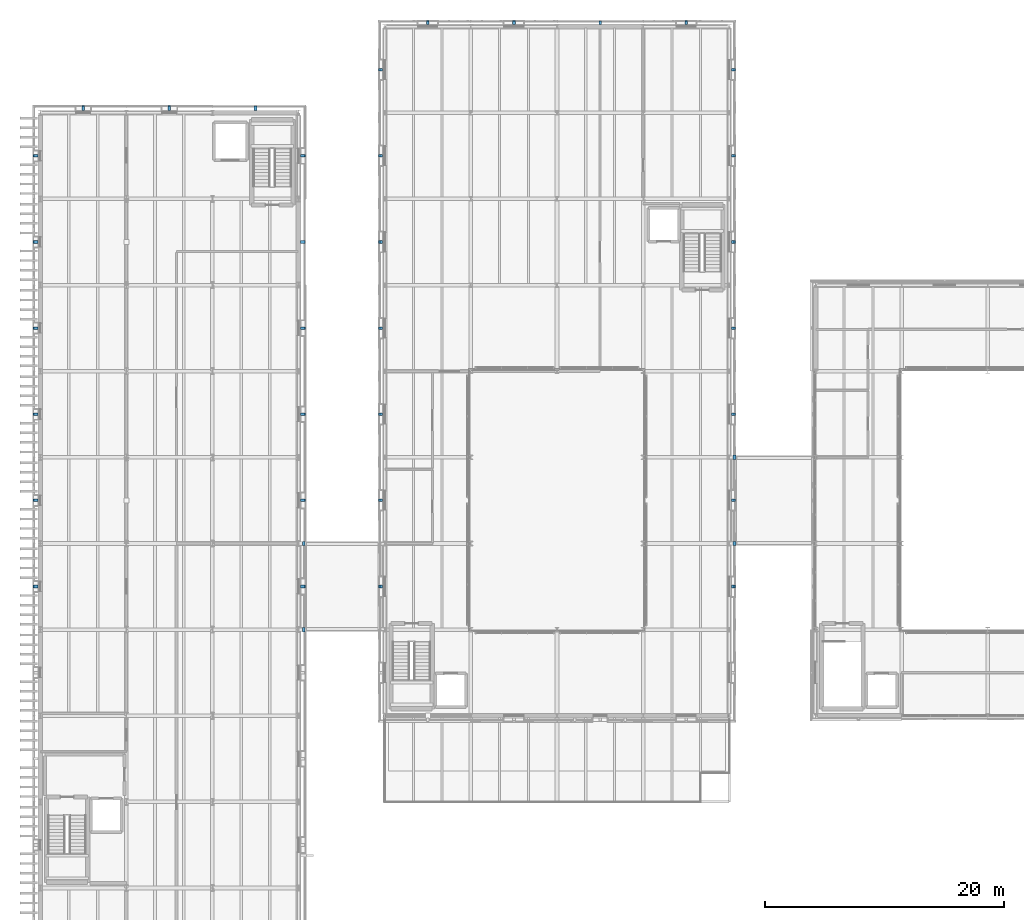
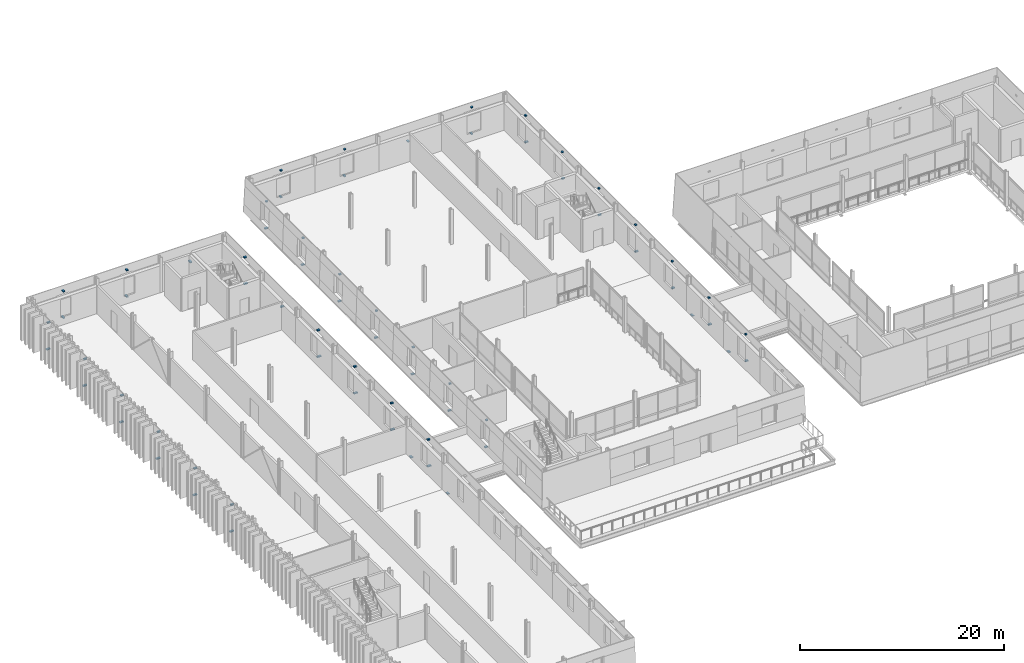
# One storey, part 71 of 91: 67 discrete accessories.
"""IFC4 building model written with IfcOpenShell, lengths in metres."""

import ifcopenshell
import ifcopenshell.guid

model = None  # the IFC model being written
_history = None  # IfcOwnerHistory: only IFC2X3 demands one
_inside = {}  # id of a spatial element -> (the spatial element, [elements in it])
_under = {}  # id of a project, library or spatial element -> (it, [spatial elements below it])
_declared = {}  # id of a project -> (the project, [libraries it declares])
_typed = {}  # id of a type object -> (the type object, [elements of that type])
_made_of = {}  # id of a material, layer set ... -> (it, [elements and type objects made of it])


def new_model(schema):
    """Start an empty IFC model of exactly this schema.

    Asked for "IFC4X3", IfcOpenShell would pick the latest addendum, in which some entities
    have other attributes; the version numbers below select the first issue.
    IFC2X3 requires an IfcOwnerHistory on every rooted entity: one is made here for all.
    """
    global model, _history
    if schema == "IFC4X3":
        model = ifcopenshell.file(schema_version=(4, 3, 0, 0))
    else:
        model = ifcopenshell.file(schema=schema)
    _inside.clear()
    _under.clear()
    _declared.clear()
    _typed.clear()
    _made_of.clear()
    _history = None
    if model.schema == "IFC2X3":
        org = make("IfcOrganization", Name="unknown")
        user = make(
            "IfcPersonAndOrganization",
            ThePerson=make("IfcPerson", FamilyName="unknown"),
            TheOrganization=org,
        )
        app = make(
            "IfcApplication",
            ApplicationDeveloper=org,
            Version="unknown",
            ApplicationFullName="unknown",
            ApplicationIdentifier="unknown",
        )
        _history = make(
            "IfcOwnerHistory",
            OwningUser=user,
            OwningApplication=app,
            ChangeAction="ADDED",
            CreationDate=0,
        )
    return model


def make(cls, **values):
    """One entity of the class cls with the attributes given. An attribute that is None is left unset."""
    return model.create_entity(
        cls, **{name: value for name, value in values.items() if value is not None}
    )


def rooted(cls, **values):
    """An entity with a GlobalId (a new one), such as an element, a storey or a relation."""
    return make(cls, GlobalId=ifcopenshell.guid.new(), OwnerHistory=_history, **values)


def si_unit(unit_type, name, prefix=None):
    """IfcSIUnit, for example si_unit("LENGTHUNIT", "METRE", prefix="MILLI")."""
    return make("IfcSIUnit", UnitType=unit_type, Prefix=prefix, Name=name)


def assignment(units):
    """IfcUnitAssignment: the units of a project."""
    return None if units is None else make("IfcUnitAssignment", Units=units)


def point(xyz):
    """IfcCartesianPoint."""
    return None if xyz is None else make("IfcCartesianPoint", Coordinates=xyz)


def direction(xyz):
    """IfcDirection."""
    return None if xyz is None else make("IfcDirection", DirectionRatios=xyz)


def frame(location, z_axis=None, x_axis=None):
    """IfcAxis2Placement3D, a coordinate frame: its origin and axes. An axis left out is left unset."""
    return make(
        "IfcAxis2Placement3D",
        Location=point(location),
        Axis=direction(z_axis),
        RefDirection=direction(x_axis),
    )


def frame_2d(location, x_axis=None):
    """IfcAxis2Placement2D, a coordinate frame in the plane: its origin and x axis."""
    return make(
        "IfcAxis2Placement2D", Location=point(location), RefDirection=direction(x_axis)
    )


def origin():
    """The frame at (0, 0, 0) with its axes left unset."""
    return frame((0.0, 0.0, 0.0))


def origin_2d():
    """The frame at (0, 0) in the plane with its x axis left unset."""
    return frame_2d((0.0, 0.0))


def place(relative_to, where):
    """IfcLocalPlacement: puts the frame where relative to a parent placement (None: the world)."""
    return make(
        "IfcLocalPlacement", PlacementRelTo=relative_to, RelativePlacement=where
    )


def context(
    kind, dimensions, precision=None, world=None, true_north=None, identifier=None
):
    """IfcGeometricRepresentationContext, for example the 3D "Model" context."""
    return make(
        "IfcGeometricRepresentationContext",
        ContextIdentifier=identifier,
        ContextType=kind,
        CoordinateSpaceDimension=dimensions,
        Precision=precision,
        WorldCoordinateSystem=world,
        TrueNorth=true_north,
    )


def subcontext(parent, identifier, kind, view, scale=None):
    """IfcGeometricRepresentationSubContext, for example "Body" below "Model"."""
    return make(
        "IfcGeometricRepresentationSubContext",
        ContextIdentifier=identifier,
        ContextType=kind,
        ParentContext=parent,
        TargetScale=scale,
        TargetView=view,
    )


def project(units=None, contexts=None):
    """IfcProject with its units and contexts."""
    return rooted(
        "IfcProject",
        Name="project",
        RepresentationContexts=contexts,
        UnitsInContext=assignment(units),
    )


def spatial(cls, under=None, at=None, **own):
    """A site, building, storey or space (cls), placed at a placement, below another one or the project."""
    s = rooted(cls, ObjectPlacement=at, **own)
    if under is not None:
        _under.setdefault(under.id(), (under, []))[1].append(s)
    return s


def profile(cls, at=None, kind="AREA", **sizes):
    """A parametric profile (cls). Its sizes go by their IFC names, for example OverallWidth=200.0."""
    return make(cls, ProfileType=kind, Position=at, **sizes)


def rectangle(**sizes):
    """IfcRectangleProfileDef."""
    return profile("IfcRectangleProfileDef", **sizes)


def extrude(swept, where, along, depth):
    """IfcExtrudedAreaSolid: the profile swept, set in the frame where, extruded along a direction by depth."""
    return make(
        "IfcExtrudedAreaSolid",
        SweptArea=swept,
        Position=where,
        ExtrudedDirection=direction(along),
        Depth=depth,
    )


def shape(context_of_items, identifier, shape_type, items):
    """IfcShapeRepresentation: the items that make up one representation, for example the "Body"."""
    return make(
        "IfcShapeRepresentation",
        ContextOfItems=context_of_items,
        RepresentationIdentifier=identifier,
        RepresentationType=shape_type,
        Items=items,
    )


def material(Name=None, Category=None):
    """IfcMaterial."""
    return make("IfcMaterial", Name=Name, Category=Category)


def layer(
    of_material, thickness, ventilated=None, Name=None, Category=None, Priority=None
):
    """IfcMaterialLayer: one layer of a wall or slab, of a material (None: an air gap)."""
    return make(
        "IfcMaterialLayer",
        Material=of_material,
        LayerThickness=thickness,
        IsVentilated=ventilated,
        Name=Name,
        Category=Category,
        Priority=Priority,
    )


def layer_set(layers, Name=None):
    """IfcMaterialLayerSet."""
    return make("IfcMaterialLayerSet", MaterialLayers=layers, LayerSetName=Name)


def made_of(thing, what):
    """Note that an element or type object is made of a material, layer set ...; save() writes the relation."""
    if what is not None:
        _made_of.setdefault(what.id(), (what, []))[1].append(thing)
    return thing


def type_object(cls, material=None, **own):
    """A type object (cls), such as IfcWallType, which elements share."""
    return made_of(rooted(cls, **own), material)


def element(
    cls,
    number,
    at=None,
    inside=None,
    cuts=None,
    type_object=None,
    material=None,
    context=None,
    identifier="Body",
    shape_type=None,
    held_by="IfcProductDefinitionShape",
    body=None,
    shapes=None,
    **own,
):
    """One element of the class cls, such as IfcWall. Its Tag is "e" and its number.

    at: its placement. inside: the storey or other place that contains it. cuts: it is an
    opening in that element (IfcRelVoidsElement). A single representation is given by context,
    identifier, shape_type and body (its items); several are given by shapes. held_by: the class
    of the entity that holds the representations. save() writes the other relations.
    """
    e = rooted(cls, Tag="e%d" % number, ObjectPlacement=at, **own)
    if body is not None:
        shapes = [shape(context, identifier, shape_type, body)]
    if shapes is not None:
        e.Representation = make(held_by, Representations=shapes)
    if inside is not None:
        _inside.setdefault(inside.id(), (inside, []))[1].append(e)
    if cuts is not None:
        rooted(
            "IfcRelVoidsElement", RelatingBuildingElement=cuts, RelatedOpeningElement=e
        )
    if type_object is not None:
        _typed.setdefault(type_object.id(), (type_object, []))[1].append(e)
    return made_of(e, material)


def aggregate(whole, parts):
    """IfcRelAggregates: a whole, such as a stair, and the parts it consists of."""
    return rooted("IfcRelAggregates", RelatingObject=whole, RelatedObjects=parts)


def save(model, path):
    """Write the relations noted so far, then the file.

    IfcRelAggregates (storeys below a building ...), IfcRelContainedInSpatialStructure (elements
    in a storey), IfcRelDefinesByType, IfcRelAssociatesMaterial and IfcRelDeclares: one each for
    every whole, place, type object, material and project.
    """
    for whole, parts in _under.values():
        aggregate(whole, parts)
    for where, things in _inside.values():
        rooted(
            "IfcRelContainedInSpatialStructure",
            RelatedElements=things,
            RelatingStructure=where,
        )
    for kind, things in _typed.values():
        rooted("IfcRelDefinesByType", RelatedObjects=things, RelatingType=kind)
    for what, things in _made_of.values():
        rooted("IfcRelAssociatesMaterial", RelatedObjects=things, RelatingMaterial=what)
    for by, libraries in _declared.values():
        rooted("IfcRelDeclares", RelatingContext=by, RelatedDefinitions=libraries)
    model.write(path)


model = new_model("IFC4")

# Units and contexts
model_context = context("Model", 3, precision=1e-05, world=origin(), true_north=direction((0.0, 1.0)))
body_context = subcontext(model_context, "Body", "Model", "MODEL_VIEW")
ifc_project = project(units=[si_unit("LENGTHUNIT", "METRE"), si_unit("AREAUNIT", "SQUARE_METRE"), si_unit("VOLUMEUNIT", "CUBIC_METRE"), si_unit("PLANEANGLEUNIT", "RADIAN"), si_unit("MASSUNIT", "GRAM", prefix="KILO")], contexts=[model_context])

# Site, building, storey
site_placement = place(None, origin())
site = spatial("IfcSite", under=ifc_project, at=site_placement, CompositionType="ELEMENT")
building_placement = place(site_placement, origin())
building = spatial("IfcBuilding", under=site, at=building_placement, Name="Narikvali Park Central Library", CompositionType="ELEMENT")
storey_placement = place(building_placement, frame((0.0, 0.0, 14.39990234375)))
storey = spatial("IfcBuildingStorey", under=building, at=storey_placement, Name="L03", CompositionType="ELEMENT", Elevation=14.39990234375)

# Discrete accessories
ifc_material = material(Name="Brushed Stainless Steel S355", Category="steel")
ifc_layer_1 = layer(ifc_material, 0.139892578125, Name="Brushed Stainless Steel S355")
ifc_layer_set_1 = layer_set([ifc_layer_1], Name="Brushed Stainless Steel S355")
discrete_accessory_type_1 = type_object("IfcDiscreteAccessoryType", Name="Cladding Stainless Tie-Back Corbel Bracket", PredefinedType="BRACKET", material=ifc_layer_set_1)
discrete_accessory_1_placement = place(storey_placement, frame((57.944580078125, 68.39990234375, 0.4052734375), z_axis=(0.0, 0.0, 1.0), x_axis=(1.0, 0.0, 0.0)))
element("IfcDiscreteAccessory", 1, at=discrete_accessory_1_placement, inside=storey, type_object=discrete_accessory_type_1, Name="Limestone Cladding Tie-Back Bracket V4-CLD-L03-E-B02-SP", PredefinedType="BRACKET", context=body_context, shape_type="SweptSolid", body=[
    extrude(rectangle(XDim=0.348876953125, YDim=0.219970703125, at=origin_2d()), origin(), (0.0, 0.0, 1.0), 0.139892578125),
])
discrete_accessory_2_placement = place(storey_placement, frame((57.890625, 68.39990234375, 3.60498046875), z_axis=(0.0, 0.0, 1.0), x_axis=(1.0, 0.0, 0.0)))
element("IfcDiscreteAccessory", 2, at=discrete_accessory_2_placement, inside=storey, type_object=discrete_accessory_type_1, Name="Limestone Cladding Tie-Back Bracket V4-CLD-L03-E-B02-LN", PredefinedType="BRACKET", context=body_context, shape_type="SweptSolid", body=[
    extrude(rectangle(XDim=0.2412109375, YDim=0.219970703125, at=origin_2d()), origin(), (0.0, 0.0, 1.0), 0.139892578125),
])
discrete_accessory_3_placement = place(storey_placement, frame((57.944580078125, 75.60009765625, 0.4052734375), z_axis=(0.0, 0.0, 1.0), x_axis=(1.0, 0.0, 0.0)))
element("IfcDiscreteAccessory", 3, at=discrete_accessory_3_placement, inside=storey, type_object=discrete_accessory_type_1, Name="Limestone Cladding Tie-Back Bracket V4-CLD-L03-E-B03-SP", PredefinedType="BRACKET", context=body_context, shape_type="SweptSolid", body=[
    extrude(rectangle(XDim=0.348876953125, YDim=0.219970703125, at=origin_2d()), origin(), (0.0, 0.0, 1.0), 0.139892578125),
])
discrete_accessory_4_placement = place(storey_placement, frame((57.890625, 75.60009765625, 3.60498046875), z_axis=(0.0, 0.0, 1.0), x_axis=(1.0, 0.0, 0.0)))
element("IfcDiscreteAccessory", 4, at=discrete_accessory_4_placement, inside=storey, type_object=discrete_accessory_type_1, Name="Limestone Cladding Tie-Back Bracket V4-CLD-L03-E-B03-LN", PredefinedType="BRACKET", context=body_context, shape_type="SweptSolid", body=[
    extrude(rectangle(XDim=0.2412109375, YDim=0.219970703125, at=origin_2d()), origin(), (0.0, 0.0, 1.0), 0.139892578125),
])
discrete_accessory_5_placement = place(storey_placement, frame((57.944580078125, 82.800048828125, 0.4052734375), z_axis=(0.0, 0.0, 1.0), x_axis=(1.0, 0.0, 0.0)))
element("IfcDiscreteAccessory", 5, at=discrete_accessory_5_placement, inside=storey, type_object=discrete_accessory_type_1, Name="Limestone Cladding Tie-Back Bracket V4-CLD-L03-E-B04-SP", PredefinedType="BRACKET", context=body_context, shape_type="SweptSolid", body=[
    extrude(rectangle(XDim=0.348876953125, YDim=0.219970703125, at=origin_2d()), origin(), (0.0, 0.0, 1.0), 0.139892578125),
])
discrete_accessory_6_placement = place(storey_placement, frame((57.890625, 82.800048828125, 3.60498046875), z_axis=(0.0, 0.0, 1.0), x_axis=(1.0, 0.0, 0.0)))
element("IfcDiscreteAccessory", 6, at=discrete_accessory_6_placement, inside=storey, type_object=discrete_accessory_type_1, Name="Limestone Cladding Tie-Back Bracket V4-CLD-L03-E-B04-LN", PredefinedType="BRACKET", context=body_context, shape_type="SweptSolid", body=[
    extrude(rectangle(XDim=0.2412109375, YDim=0.219970703125, at=origin_2d()), origin(), (0.0, 0.0, 1.0), 0.139892578125),
])
discrete_accessory_7_placement = place(storey_placement, frame((57.944580078125, 90.0, 0.4052734375), z_axis=(0.0, 0.0, 1.0), x_axis=(1.0, 0.0, 0.0)))
element("IfcDiscreteAccessory", 7, at=discrete_accessory_7_placement, inside=storey, type_object=discrete_accessory_type_1, Name="Limestone Cladding Tie-Back Bracket V4-CLD-L03-E-B05-SP", PredefinedType="BRACKET", context=body_context, shape_type="SweptSolid", body=[
    extrude(rectangle(XDim=0.348876953125, YDim=0.219970703125, at=origin_2d()), origin(), (0.0, 0.0, 1.0), 0.139892578125),
])
discrete_accessory_8_placement = place(storey_placement, frame((57.890625, 90.0, 3.60498046875), z_axis=(0.0, 0.0, 1.0), x_axis=(1.0, 0.0, 0.0)))
element("IfcDiscreteAccessory", 8, at=discrete_accessory_8_placement, inside=storey, type_object=discrete_accessory_type_1, Name="Limestone Cladding Tie-Back Bracket V4-CLD-L03-E-B05-LN", PredefinedType="BRACKET", context=body_context, shape_type="SweptSolid", body=[
    extrude(rectangle(XDim=0.2412109375, YDim=0.219970703125, at=origin_2d()), origin(), (0.0, 0.0, 1.0), 0.139892578125),
])
discrete_accessory_9_placement = place(storey_placement, frame((57.944580078125, 97.199951171875, 0.4052734375), z_axis=(0.0, 0.0, 1.0), x_axis=(1.0, 0.0, 0.0)))
element("IfcDiscreteAccessory", 9, at=discrete_accessory_9_placement, inside=storey, type_object=discrete_accessory_type_1, Name="Limestone Cladding Tie-Back Bracket V4-CLD-L03-E-B06-SP", PredefinedType="BRACKET", context=body_context, shape_type="SweptSolid", body=[
    extrude(rectangle(XDim=0.348876953125, YDim=0.219970703125, at=origin_2d()), origin(), (0.0, 0.0, 1.0), 0.139892578125),
])
discrete_accessory_10_placement = place(storey_placement, frame((57.890625, 97.199951171875, 3.60498046875), z_axis=(0.0, 0.0, 1.0), x_axis=(1.0, 0.0, 0.0)))
element("IfcDiscreteAccessory", 10, at=discrete_accessory_10_placement, inside=storey, type_object=discrete_accessory_type_1, Name="Limestone Cladding Tie-Back Bracket V4-CLD-L03-E-B06-LN", PredefinedType="BRACKET", context=body_context, shape_type="SweptSolid", body=[
    extrude(rectangle(XDim=0.2412109375, YDim=0.219970703125, at=origin_2d()), origin(), (0.0, 0.0, 1.0), 0.139892578125),
])
discrete_accessory_11_placement = place(storey_placement, frame((57.944580078125, 104.39990234375, 0.4052734375), z_axis=(0.0, 0.0, 1.0), x_axis=(1.0, 0.0, 0.0)))
element("IfcDiscreteAccessory", 11, at=discrete_accessory_11_placement, inside=storey, type_object=discrete_accessory_type_1, Name="Limestone Cladding Tie-Back Bracket V4-CLD-L03-E-B07-SP", PredefinedType="BRACKET", context=body_context, shape_type="SweptSolid", body=[
    extrude(rectangle(XDim=0.348876953125, YDim=0.219970703125, at=origin_2d()), origin(), (0.0, 0.0, 1.0), 0.139892578125),
])
discrete_accessory_12_placement = place(storey_placement, frame((57.890625, 104.39990234375, 3.60498046875), z_axis=(0.0, 0.0, 1.0), x_axis=(1.0, 0.0, 0.0)))
element("IfcDiscreteAccessory", 12, at=discrete_accessory_12_placement, inside=storey, type_object=discrete_accessory_type_1, Name="Limestone Cladding Tie-Back Bracket V4-CLD-L03-E-B07-LN", PredefinedType="BRACKET", context=body_context, shape_type="SweptSolid", body=[
    extrude(rectangle(XDim=0.2412109375, YDim=0.219970703125, at=origin_2d()), origin(), (0.0, 0.0, 1.0), 0.139892578125),
])
discrete_accessory_13_placement = place(storey_placement, frame((57.944580078125, 111.60009765625, 0.4052734375), z_axis=(0.0, 0.0, 1.0), x_axis=(1.0, 0.0, 0.0)))
element("IfcDiscreteAccessory", 13, at=discrete_accessory_13_placement, inside=storey, type_object=discrete_accessory_type_1, Name="Limestone Cladding Tie-Back Bracket V4-CLD-L03-E-B08-SP", PredefinedType="BRACKET", context=body_context, shape_type="SweptSolid", body=[
    extrude(rectangle(XDim=0.348876953125, YDim=0.219970703125, at=origin_2d()), origin(), (0.0, 0.0, 1.0), 0.139892578125),
])
discrete_accessory_14_placement = place(storey_placement, frame((57.890625, 111.60009765625, 3.60498046875), z_axis=(0.0, 0.0, 1.0), x_axis=(1.0, 0.0, 0.0)))
element("IfcDiscreteAccessory", 14, at=discrete_accessory_14_placement, inside=storey, type_object=discrete_accessory_type_1, Name="Limestone Cladding Tie-Back Bracket V4-CLD-L03-E-B08-LN", PredefinedType="BRACKET", context=body_context, shape_type="SweptSolid", body=[
    extrude(rectangle(XDim=0.2412109375, YDim=0.219970703125, at=origin_2d()), origin(), (0.0, 0.0, 1.0), 0.139892578125),
])
discrete_accessory_15_placement = place(storey_placement, frame((54.0, 115.54443359375, 0.4052734375), z_axis=(0.0, 0.0, 1.0), x_axis=(1.0, 0.0, 0.0)))
element("IfcDiscreteAccessory", 15, at=discrete_accessory_15_placement, inside=storey, type_object=discrete_accessory_type_1, Name="Limestone Cladding Tie-Back Bracket V4-CLD-L03-N-B01-SP", PredefinedType="BRACKET", context=body_context, shape_type="SweptSolid", body=[
    extrude(rectangle(XDim=0.219970703125, YDim=0.348876953125, at=origin_2d()), origin(), (0.0, 0.0, 1.0), 0.139892578125),
])
discrete_accessory_16_placement = place(storey_placement, frame((54.0, 115.490478515625, 3.60498046875), z_axis=(0.0, 0.0, 1.0), x_axis=(1.0, 0.0, 0.0)))
element("IfcDiscreteAccessory", 16, at=discrete_accessory_16_placement, inside=storey, type_object=discrete_accessory_type_1, Name="Limestone Cladding Tie-Back Bracket V4-CLD-L03-N-B01-LN", PredefinedType="BRACKET", context=body_context, shape_type="SweptSolid", body=[
    extrude(rectangle(XDim=0.219970703125, YDim=0.2412109375, at=origin_2d()), origin(), (0.0, 0.0, 1.0), 0.139892578125),
])
discrete_accessory_17_placement = place(storey_placement, frame((46.800048828125, 115.51708984375, 2.0302734375), z_axis=(0.0, 0.0, 1.0), x_axis=(1.0, 0.0, 0.0)))
element("IfcDiscreteAccessory", 17, at=discrete_accessory_17_placement, inside=storey, type_object=discrete_accessory_type_1, Name="Limestone Cladding Tie-Back Bracket V4-CLD-L03-N-B02-FULL", PredefinedType="BRACKET", context=body_context, shape_type="SweptSolid", body=[
    extrude(rectangle(XDim=0.219970703125, YDim=0.294189453125, at=origin_2d()), origin(), (0.0, 0.0, 1.0), 0.139892578125),
])
discrete_accessory_18_placement = place(storey_placement, frame((39.60009765625, 115.54443359375, 0.4052734375), z_axis=(0.0, 0.0, 1.0), x_axis=(1.0, 0.0, 0.0)))
element("IfcDiscreteAccessory", 18, at=discrete_accessory_18_placement, inside=storey, type_object=discrete_accessory_type_1, Name="Limestone Cladding Tie-Back Bracket V4-CLD-L03-N-B03-SP", PredefinedType="BRACKET", context=body_context, shape_type="SweptSolid", body=[
    extrude(rectangle(XDim=0.219970703125, YDim=0.348876953125, at=origin_2d()), origin(), (0.0, 0.0, 1.0), 0.139892578125),
])
discrete_accessory_19_placement = place(storey_placement, frame((39.60009765625, 115.490478515625, 3.60498046875), z_axis=(0.0, 0.0, 1.0), x_axis=(1.0, 0.0, 0.0)))
element("IfcDiscreteAccessory", 19, at=discrete_accessory_19_placement, inside=storey, type_object=discrete_accessory_type_1, Name="Limestone Cladding Tie-Back Bracket V4-CLD-L03-N-B03-LN", PredefinedType="BRACKET", context=body_context, shape_type="SweptSolid", body=[
    extrude(rectangle(XDim=0.219970703125, YDim=0.2412109375, at=origin_2d()), origin(), (0.0, 0.0, 1.0), 0.139892578125),
])
discrete_accessory_20_placement = place(storey_placement, frame((32.39990234375, 115.54443359375, 0.4052734375), z_axis=(0.0, 0.0, 1.0), x_axis=(1.0, 0.0, 0.0)))
element("IfcDiscreteAccessory", 20, at=discrete_accessory_20_placement, inside=storey, type_object=discrete_accessory_type_1, Name="Limestone Cladding Tie-Back Bracket V4-CLD-L03-N-B04-SP", PredefinedType="BRACKET", context=body_context, shape_type="SweptSolid", body=[
    extrude(rectangle(XDim=0.219970703125, YDim=0.348876953125, at=origin_2d()), origin(), (0.0, 0.0, 1.0), 0.139892578125),
])
discrete_accessory_21_placement = place(storey_placement, frame((32.39990234375, 115.490478515625, 3.60498046875), z_axis=(0.0, 0.0, 1.0), x_axis=(1.0, 0.0, 0.0)))
element("IfcDiscreteAccessory", 21, at=discrete_accessory_21_placement, inside=storey, type_object=discrete_accessory_type_1, Name="Limestone Cladding Tie-Back Bracket V4-CLD-L03-N-B04-LN", PredefinedType="BRACKET", context=body_context, shape_type="SweptSolid", body=[
    extrude(rectangle(XDim=0.219970703125, YDim=0.2412109375, at=origin_2d()), origin(), (0.0, 0.0, 1.0), 0.139892578125),
])
discrete_accessory_22_placement = place(storey_placement, frame((28.45556640625, 111.60009765625, 0.4052734375), z_axis=(0.0, 0.0, 1.0), x_axis=(1.0, 0.0, 0.0)))
element("IfcDiscreteAccessory", 22, at=discrete_accessory_22_placement, inside=storey, type_object=discrete_accessory_type_1, Name="Limestone Cladding Tie-Back Bracket V4-CLD-L03-W-B01-SP", PredefinedType="BRACKET", context=body_context, shape_type="SweptSolid", body=[
    extrude(rectangle(XDim=0.348876953125, YDim=0.219970703125, at=origin_2d()), origin(), (0.0, 0.0, 1.0), 0.139892578125),
])
discrete_accessory_23_placement = place(storey_placement, frame((28.509521484375, 111.60009765625, 3.60498046875), z_axis=(0.0, 0.0, 1.0), x_axis=(1.0, 0.0, 0.0)))
element("IfcDiscreteAccessory", 23, at=discrete_accessory_23_placement, inside=storey, type_object=discrete_accessory_type_1, Name="Limestone Cladding Tie-Back Bracket V4-CLD-L03-W-B01-LN", PredefinedType="BRACKET", context=body_context, shape_type="SweptSolid", body=[
    extrude(rectangle(XDim=0.2412109375, YDim=0.219970703125, at=origin_2d()), origin(), (0.0, 0.0, 1.0), 0.139892578125),
])
discrete_accessory_24_placement = place(storey_placement, frame((28.45556640625, 104.39990234375, 0.4052734375), z_axis=(0.0, 0.0, 1.0), x_axis=(1.0, 0.0, 0.0)))
element("IfcDiscreteAccessory", 24, at=discrete_accessory_24_placement, inside=storey, type_object=discrete_accessory_type_1, Name="Limestone Cladding Tie-Back Bracket V4-CLD-L03-W-B02-SP", PredefinedType="BRACKET", context=body_context, shape_type="SweptSolid", body=[
    extrude(rectangle(XDim=0.348876953125, YDim=0.219970703125, at=origin_2d()), origin(), (0.0, 0.0, 1.0), 0.139892578125),
])
discrete_accessory_25_placement = place(storey_placement, frame((28.509521484375, 104.39990234375, 3.60498046875), z_axis=(0.0, 0.0, 1.0), x_axis=(1.0, 0.0, 0.0)))
element("IfcDiscreteAccessory", 25, at=discrete_accessory_25_placement, inside=storey, type_object=discrete_accessory_type_1, Name="Limestone Cladding Tie-Back Bracket V4-CLD-L03-W-B02-LN", PredefinedType="BRACKET", context=body_context, shape_type="SweptSolid", body=[
    extrude(rectangle(XDim=0.2412109375, YDim=0.219970703125, at=origin_2d()), origin(), (0.0, 0.0, 1.0), 0.139892578125),
])
discrete_accessory_26_placement = place(storey_placement, frame((28.45556640625, 97.199951171875, 0.4052734375), z_axis=(0.0, 0.0, 1.0), x_axis=(1.0, 0.0, 0.0)))
element("IfcDiscreteAccessory", 26, at=discrete_accessory_26_placement, inside=storey, type_object=discrete_accessory_type_1, Name="Limestone Cladding Tie-Back Bracket V4-CLD-L03-W-B03-SP", PredefinedType="BRACKET", context=body_context, shape_type="SweptSolid", body=[
    extrude(rectangle(XDim=0.348876953125, YDim=0.219970703125, at=origin_2d()), origin(), (0.0, 0.0, 1.0), 0.139892578125),
])
discrete_accessory_27_placement = place(storey_placement, frame((28.509521484375, 97.199951171875, 3.60498046875), z_axis=(0.0, 0.0, 1.0), x_axis=(1.0, 0.0, 0.0)))
element("IfcDiscreteAccessory", 27, at=discrete_accessory_27_placement, inside=storey, type_object=discrete_accessory_type_1, Name="Limestone Cladding Tie-Back Bracket V4-CLD-L03-W-B03-LN", PredefinedType="BRACKET", context=body_context, shape_type="SweptSolid", body=[
    extrude(rectangle(XDim=0.2412109375, YDim=0.219970703125, at=origin_2d()), origin(), (0.0, 0.0, 1.0), 0.139892578125),
])
discrete_accessory_28_placement = place(storey_placement, frame((28.45556640625, 90.0, 0.4052734375), z_axis=(0.0, 0.0, 1.0), x_axis=(1.0, 0.0, 0.0)))
element("IfcDiscreteAccessory", 28, at=discrete_accessory_28_placement, inside=storey, type_object=discrete_accessory_type_1, Name="Limestone Cladding Tie-Back Bracket V4-CLD-L03-W-B04-SP", PredefinedType="BRACKET", context=body_context, shape_type="SweptSolid", body=[
    extrude(rectangle(XDim=0.348876953125, YDim=0.219970703125, at=origin_2d()), origin(), (0.0, 0.0, 1.0), 0.139892578125),
])
discrete_accessory_29_placement = place(storey_placement, frame((28.509521484375, 90.0, 3.60498046875), z_axis=(0.0, 0.0, 1.0), x_axis=(1.0, 0.0, 0.0)))
element("IfcDiscreteAccessory", 29, at=discrete_accessory_29_placement, inside=storey, type_object=discrete_accessory_type_1, Name="Limestone Cladding Tie-Back Bracket V4-CLD-L03-W-B04-LN", PredefinedType="BRACKET", context=body_context, shape_type="SweptSolid", body=[
    extrude(rectangle(XDim=0.2412109375, YDim=0.219970703125, at=origin_2d()), origin(), (0.0, 0.0, 1.0), 0.139892578125),
])
discrete_accessory_30_placement = place(storey_placement, frame((28.45556640625, 82.800048828125, 0.4052734375), z_axis=(0.0, 0.0, 1.0), x_axis=(1.0, 0.0, 0.0)))
element("IfcDiscreteAccessory", 30, at=discrete_accessory_30_placement, inside=storey, type_object=discrete_accessory_type_1, Name="Limestone Cladding Tie-Back Bracket V4-CLD-L03-W-B05-SP", PredefinedType="BRACKET", context=body_context, shape_type="SweptSolid", body=[
    extrude(rectangle(XDim=0.348876953125, YDim=0.219970703125, at=origin_2d()), origin(), (0.0, 0.0, 1.0), 0.139892578125),
])
discrete_accessory_31_placement = place(storey_placement, frame((28.509521484375, 82.800048828125, 3.60498046875), z_axis=(0.0, 0.0, 1.0), x_axis=(1.0, 0.0, 0.0)))
element("IfcDiscreteAccessory", 31, at=discrete_accessory_31_placement, inside=storey, type_object=discrete_accessory_type_1, Name="Limestone Cladding Tie-Back Bracket V4-CLD-L03-W-B05-LN", PredefinedType="BRACKET", context=body_context, shape_type="SweptSolid", body=[
    extrude(rectangle(XDim=0.2412109375, YDim=0.219970703125, at=origin_2d()), origin(), (0.0, 0.0, 1.0), 0.139892578125),
])
discrete_accessory_32_placement = place(storey_placement, frame((28.45556640625, 75.60009765625, 0.4052734375), z_axis=(0.0, 0.0, 1.0), x_axis=(1.0, 0.0, 0.0)))
element("IfcDiscreteAccessory", 32, at=discrete_accessory_32_placement, inside=storey, type_object=discrete_accessory_type_1, Name="Limestone Cladding Tie-Back Bracket V4-CLD-L03-W-B06-SP", PredefinedType="BRACKET", context=body_context, shape_type="SweptSolid", body=[
    extrude(rectangle(XDim=0.348876953125, YDim=0.219970703125, at=origin_2d()), origin(), (0.0, 0.0, 1.0), 0.139892578125),
])
discrete_accessory_33_placement = place(storey_placement, frame((28.509521484375, 75.60009765625, 3.60498046875), z_axis=(0.0, 0.0, 1.0), x_axis=(1.0, 0.0, 0.0)))
element("IfcDiscreteAccessory", 33, at=discrete_accessory_33_placement, inside=storey, type_object=discrete_accessory_type_1, Name="Limestone Cladding Tie-Back Bracket V4-CLD-L03-W-B06-LN", PredefinedType="BRACKET", context=body_context, shape_type="SweptSolid", body=[
    extrude(rectangle(XDim=0.2412109375, YDim=0.219970703125, at=origin_2d()), origin(), (0.0, 0.0, 1.0), 0.139892578125),
])
discrete_accessory_34_placement = place(storey_placement, frame((28.45556640625, 68.39990234375, 0.4052734375), z_axis=(0.0, 0.0, 1.0), x_axis=(1.0, 0.0, 0.0)))
element("IfcDiscreteAccessory", 34, at=discrete_accessory_34_placement, inside=storey, type_object=discrete_accessory_type_1, Name="Limestone Cladding Tie-Back Bracket V4-CLD-L03-W-B07-SP", PredefinedType="BRACKET", context=body_context, shape_type="SweptSolid", body=[
    extrude(rectangle(XDim=0.348876953125, YDim=0.219970703125, at=origin_2d()), origin(), (0.0, 0.0, 1.0), 0.139892578125),
])
discrete_accessory_35_placement = place(storey_placement, frame((28.509521484375, 68.39990234375, 3.60498046875), z_axis=(0.0, 0.0, 1.0), x_axis=(1.0, 0.0, 0.0)))
element("IfcDiscreteAccessory", 35, at=discrete_accessory_35_placement, inside=storey, type_object=discrete_accessory_type_1, Name="Limestone Cladding Tie-Back Bracket V4-CLD-L03-W-B07-LN", PredefinedType="BRACKET", context=body_context, shape_type="SweptSolid", body=[
    extrude(rectangle(XDim=0.2412109375, YDim=0.219970703125, at=origin_2d()), origin(), (0.0, 0.0, 1.0), 0.139892578125),
])
discrete_accessory_36_placement = place(storey_placement, frame((21.98388671875, 68.39990234375, 0.4052734375), z_axis=(0.0, 0.0, 1.0), x_axis=(1.0, 0.0, 0.0)))
element("IfcDiscreteAccessory", 36, at=discrete_accessory_36_placement, inside=storey, type_object=discrete_accessory_type_1, Name="Limestone Cladding Tie-Back Bracket V5-CLD-L03-E-B06-SP", PredefinedType="BRACKET", context=body_context, shape_type="SweptSolid", body=[
    extrude(rectangle(XDim=0.427978515625, YDim=0.219970703125, at=origin_2d()), origin(), (0.0, 0.0, 1.0), 0.139892578125),
])
discrete_accessory_37_placement = place(storey_placement, frame((21.93896484375, 68.39990234375, 3.580078125), z_axis=(0.0, 0.0, 1.0), x_axis=(1.0, 0.0, 0.0)))
element("IfcDiscreteAccessory", 37, at=discrete_accessory_37_placement, inside=storey, type_object=discrete_accessory_type_1, Name="Limestone Cladding Tie-Back Bracket V5-CLD-L03-E-B06-LN", PredefinedType="BRACKET", context=body_context, shape_type="SweptSolid", body=[
    extrude(rectangle(XDim=0.337890625, YDim=0.219970703125, at=origin_2d()), origin(), (0.0, 0.0, 1.0), 0.139892578125),
])
discrete_accessory_38_placement = place(storey_placement, frame((21.98388671875, 75.60009765625, 0.4052734375), z_axis=(0.0, 0.0, 1.0), x_axis=(1.0, 0.0, 0.0)))
element("IfcDiscreteAccessory", 38, at=discrete_accessory_38_placement, inside=storey, type_object=discrete_accessory_type_1, Name="Limestone Cladding Tie-Back Bracket V5-CLD-L03-E-B07-SP", PredefinedType="BRACKET", context=body_context, shape_type="SweptSolid", body=[
    extrude(rectangle(XDim=0.427978515625, YDim=0.219970703125, at=origin_2d()), origin(), (0.0, 0.0, 1.0), 0.139892578125),
])
discrete_accessory_39_placement = place(storey_placement, frame((21.93896484375, 75.60009765625, 3.580078125), z_axis=(0.0, 0.0, 1.0), x_axis=(1.0, 0.0, 0.0)))
element("IfcDiscreteAccessory", 39, at=discrete_accessory_39_placement, inside=storey, type_object=discrete_accessory_type_1, Name="Limestone Cladding Tie-Back Bracket V5-CLD-L03-E-B07-LN", PredefinedType="BRACKET", context=body_context, shape_type="SweptSolid", body=[
    extrude(rectangle(XDim=0.337890625, YDim=0.219970703125, at=origin_2d()), origin(), (0.0, 0.0, 1.0), 0.139892578125),
])
discrete_accessory_40_placement = place(storey_placement, frame((21.98388671875, 82.800048828125, 0.4052734375), z_axis=(0.0, 0.0, 1.0), x_axis=(1.0, 0.0, 0.0)))
element("IfcDiscreteAccessory", 40, at=discrete_accessory_40_placement, inside=storey, type_object=discrete_accessory_type_1, Name="Limestone Cladding Tie-Back Bracket V5-CLD-L03-E-B08-SP", PredefinedType="BRACKET", context=body_context, shape_type="SweptSolid", body=[
    extrude(rectangle(XDim=0.427978515625, YDim=0.219970703125, at=origin_2d()), origin(), (0.0, 0.0, 1.0), 0.139892578125),
])
discrete_accessory_41_placement = place(storey_placement, frame((21.93896484375, 82.800048828125, 3.580078125), z_axis=(0.0, 0.0, 1.0), x_axis=(1.0, 0.0, 0.0)))
element("IfcDiscreteAccessory", 41, at=discrete_accessory_41_placement, inside=storey, type_object=discrete_accessory_type_1, Name="Limestone Cladding Tie-Back Bracket V5-CLD-L03-E-B08-LN", PredefinedType="BRACKET", context=body_context, shape_type="SweptSolid", body=[
    extrude(rectangle(XDim=0.337890625, YDim=0.219970703125, at=origin_2d()), origin(), (0.0, 0.0, 1.0), 0.139892578125),
])
discrete_accessory_42_placement = place(storey_placement, frame((21.98388671875, 90.0, 0.4052734375), z_axis=(0.0, 0.0, 1.0), x_axis=(1.0, 0.0, 0.0)))
element("IfcDiscreteAccessory", 42, at=discrete_accessory_42_placement, inside=storey, type_object=discrete_accessory_type_1, Name="Limestone Cladding Tie-Back Bracket V5-CLD-L03-E-B09-SP", PredefinedType="BRACKET", context=body_context, shape_type="SweptSolid", body=[
    extrude(rectangle(XDim=0.427978515625, YDim=0.219970703125, at=origin_2d()), origin(), (0.0, 0.0, 1.0), 0.139892578125),
])
discrete_accessory_43_placement = place(storey_placement, frame((21.93896484375, 90.0, 3.580078125), z_axis=(0.0, 0.0, 1.0), x_axis=(1.0, 0.0, 0.0)))
element("IfcDiscreteAccessory", 43, at=discrete_accessory_43_placement, inside=storey, type_object=discrete_accessory_type_1, Name="Limestone Cladding Tie-Back Bracket V5-CLD-L03-E-B09-LN", PredefinedType="BRACKET", context=body_context, shape_type="SweptSolid", body=[
    extrude(rectangle(XDim=0.337890625, YDim=0.219970703125, at=origin_2d()), origin(), (0.0, 0.0, 1.0), 0.139892578125),
])
discrete_accessory_44_placement = place(storey_placement, frame((21.9609375, 97.199951171875, 2.0302734375), z_axis=(0.0, 0.0, 1.0), x_axis=(1.0, 0.0, 0.0)))
element("IfcDiscreteAccessory", 44, at=discrete_accessory_44_placement, inside=storey, type_object=discrete_accessory_type_1, Name="Limestone Cladding Tie-Back Bracket V5-CLD-L03-E-B10-FULL", PredefinedType="BRACKET", context=body_context, shape_type="SweptSolid", body=[
    extrude(rectangle(XDim=0.3818359375, YDim=0.219970703125, at=origin_2d()), origin(), (0.0, 0.0, 1.0), 0.139892578125),
])
discrete_accessory_45_placement = place(storey_placement, frame((21.98388671875, 104.39990234375, 0.4052734375), z_axis=(0.0, 0.0, 1.0), x_axis=(1.0, 0.0, 0.0)))
element("IfcDiscreteAccessory", 45, at=discrete_accessory_45_placement, inside=storey, type_object=discrete_accessory_type_1, Name="Limestone Cladding Tie-Back Bracket V5-CLD-L03-E-B11-SP", PredefinedType="BRACKET", context=body_context, shape_type="SweptSolid", body=[
    extrude(rectangle(XDim=0.427978515625, YDim=0.219970703125, at=origin_2d()), origin(), (0.0, 0.0, 1.0), 0.139892578125),
])
discrete_accessory_46_placement = place(storey_placement, frame((21.93896484375, 104.39990234375, 3.580078125), z_axis=(0.0, 0.0, 1.0), x_axis=(1.0, 0.0, 0.0)))
element("IfcDiscreteAccessory", 46, at=discrete_accessory_46_placement, inside=storey, type_object=discrete_accessory_type_1, Name="Limestone Cladding Tie-Back Bracket V5-CLD-L03-E-B11-LN", PredefinedType="BRACKET", context=body_context, shape_type="SweptSolid", body=[
    extrude(rectangle(XDim=0.337890625, YDim=0.219970703125, at=origin_2d()), origin(), (0.0, 0.0, 1.0), 0.139892578125),
])
discrete_accessory_47_placement = place(storey_placement, frame((18.0, 108.361083984375, 2.0302734375), z_axis=(0.0, 0.0, 1.0), x_axis=(1.0, 0.0, 0.0)))
element("IfcDiscreteAccessory", 47, at=discrete_accessory_47_placement, inside=storey, type_object=discrete_accessory_type_1, Name="Limestone Cladding Tie-Back Bracket V5-CLD-L03-N-B01-FULL", PredefinedType="BRACKET", context=body_context, shape_type="SweptSolid", body=[
    extrude(rectangle(XDim=0.219970703125, YDim=0.3818359375, at=origin_2d()), origin(), (0.0, 0.0, 1.0), 0.139892578125),
])
discrete_accessory_48_placement = place(storey_placement, frame((10.800048828125, 108.384033203125, 0.4052734375), z_axis=(0.0, 0.0, 1.0), x_axis=(1.0, 0.0, 0.0)))
element("IfcDiscreteAccessory", 48, at=discrete_accessory_48_placement, inside=storey, type_object=discrete_accessory_type_1, Name="Limestone Cladding Tie-Back Bracket V5-CLD-L03-N-B02-SP", PredefinedType="BRACKET", context=body_context, shape_type="SweptSolid", body=[
    extrude(rectangle(XDim=0.219970703125, YDim=0.427978515625, at=origin_2d()), origin(), (0.0, 0.0, 1.0), 0.139892578125),
])
discrete_accessory_49_placement = place(storey_placement, frame((10.800048828125, 108.3388671875, 3.580078125), z_axis=(0.0, 0.0, 1.0), x_axis=(1.0, 0.0, 0.0)))
element("IfcDiscreteAccessory", 49, at=discrete_accessory_49_placement, inside=storey, type_object=discrete_accessory_type_1, Name="Limestone Cladding Tie-Back Bracket V5-CLD-L03-N-B02-LN", PredefinedType="BRACKET", context=body_context, shape_type="SweptSolid", body=[
    extrude(rectangle(XDim=0.219970703125, YDim=0.337890625, at=origin_2d()), origin(), (0.0, 0.0, 1.0), 0.139892578125),
])
discrete_accessory_50_placement = place(storey_placement, frame((3.60009765625, 108.384033203125, 0.4052734375), z_axis=(0.0, 0.0, 1.0), x_axis=(1.0, 0.0, 0.0)))
element("IfcDiscreteAccessory", 50, at=discrete_accessory_50_placement, inside=storey, type_object=discrete_accessory_type_1, Name="Limestone Cladding Tie-Back Bracket V5-CLD-L03-N-B03-SP", PredefinedType="BRACKET", context=body_context, shape_type="SweptSolid", body=[
    extrude(rectangle(XDim=0.219970703125, YDim=0.427978515625, at=origin_2d()), origin(), (0.0, 0.0, 1.0), 0.139892578125),
])
discrete_accessory_51_placement = place(storey_placement, frame((3.60009765625, 108.3388671875, 3.580078125), z_axis=(0.0, 0.0, 1.0), x_axis=(1.0, 0.0, 0.0)))
element("IfcDiscreteAccessory", 51, at=discrete_accessory_51_placement, inside=storey, type_object=discrete_accessory_type_1, Name="Limestone Cladding Tie-Back Bracket V5-CLD-L03-N-B03-LN", PredefinedType="BRACKET", context=body_context, shape_type="SweptSolid", body=[
    extrude(rectangle(XDim=0.219970703125, YDim=0.337890625, at=origin_2d()), origin(), (0.0, 0.0, 1.0), 0.139892578125),
])
discrete_accessory_52_placement = place(storey_placement, frame((-0.384033203125, 104.39990234375, 0.4052734375), z_axis=(0.0, 0.0, 1.0), x_axis=(1.0, 0.0, 0.0)))
element("IfcDiscreteAccessory", 52, at=discrete_accessory_52_placement, inside=storey, type_object=discrete_accessory_type_1, Name="Limestone Cladding Tie-Back Bracket V5-CLD-L03-W-B01-SP", PredefinedType="BRACKET", context=body_context, shape_type="SweptSolid", body=[
    extrude(rectangle(XDim=0.427978515625, YDim=0.219970703125, at=origin_2d()), origin(), (0.0, 0.0, 1.0), 0.139892578125),
])
discrete_accessory_53_placement = place(storey_placement, frame((-0.339111328125, 104.39990234375, 3.580078125), z_axis=(0.0, 0.0, 1.0), x_axis=(1.0, 0.0, 0.0)))
element("IfcDiscreteAccessory", 53, at=discrete_accessory_53_placement, inside=storey, type_object=discrete_accessory_type_1, Name="Limestone Cladding Tie-Back Bracket V5-CLD-L03-W-B01-LN", PredefinedType="BRACKET", context=body_context, shape_type="SweptSolid", body=[
    extrude(rectangle(XDim=0.337890625, YDim=0.219970703125, at=origin_2d()), origin(), (0.0, 0.0, 1.0), 0.139892578125),
])
discrete_accessory_54_placement = place(storey_placement, frame((-0.384033203125, 97.199951171875, 0.4052734375), z_axis=(0.0, 0.0, 1.0), x_axis=(1.0, 0.0, 0.0)))
element("IfcDiscreteAccessory", 54, at=discrete_accessory_54_placement, inside=storey, type_object=discrete_accessory_type_1, Name="Limestone Cladding Tie-Back Bracket V5-CLD-L03-W-B02-SP", PredefinedType="BRACKET", context=body_context, shape_type="SweptSolid", body=[
    extrude(rectangle(XDim=0.427978515625, YDim=0.219970703125, at=origin_2d()), origin(), (0.0, 0.0, 1.0), 0.139892578125),
])
discrete_accessory_55_placement = place(storey_placement, frame((-0.339111328125, 97.199951171875, 3.580078125), z_axis=(0.0, 0.0, 1.0), x_axis=(1.0, 0.0, 0.0)))
element("IfcDiscreteAccessory", 55, at=discrete_accessory_55_placement, inside=storey, type_object=discrete_accessory_type_1, Name="Limestone Cladding Tie-Back Bracket V5-CLD-L03-W-B02-LN", PredefinedType="BRACKET", context=body_context, shape_type="SweptSolid", body=[
    extrude(rectangle(XDim=0.337890625, YDim=0.219970703125, at=origin_2d()), origin(), (0.0, 0.0, 1.0), 0.139892578125),
])
discrete_accessory_56_placement = place(storey_placement, frame((-0.384033203125, 90.0, 0.4052734375), z_axis=(0.0, 0.0, 1.0), x_axis=(1.0, 0.0, 0.0)))
element("IfcDiscreteAccessory", 56, at=discrete_accessory_56_placement, inside=storey, type_object=discrete_accessory_type_1, Name="Limestone Cladding Tie-Back Bracket V5-CLD-L03-W-B03-SP", PredefinedType="BRACKET", context=body_context, shape_type="SweptSolid", body=[
    extrude(rectangle(XDim=0.427978515625, YDim=0.219970703125, at=origin_2d()), origin(), (0.0, 0.0, 1.0), 0.139892578125),
])
discrete_accessory_57_placement = place(storey_placement, frame((-0.339111328125, 90.0, 3.580078125), z_axis=(0.0, 0.0, 1.0), x_axis=(1.0, 0.0, 0.0)))
element("IfcDiscreteAccessory", 57, at=discrete_accessory_57_placement, inside=storey, type_object=discrete_accessory_type_1, Name="Limestone Cladding Tie-Back Bracket V5-CLD-L03-W-B03-LN", PredefinedType="BRACKET", context=body_context, shape_type="SweptSolid", body=[
    extrude(rectangle(XDim=0.337890625, YDim=0.219970703125, at=origin_2d()), origin(), (0.0, 0.0, 1.0), 0.139892578125),
])
discrete_accessory_58_placement = place(storey_placement, frame((-0.384033203125, 82.800048828125, 0.4052734375), z_axis=(0.0, 0.0, 1.0), x_axis=(1.0, 0.0, 0.0)))
element("IfcDiscreteAccessory", 58, at=discrete_accessory_58_placement, inside=storey, type_object=discrete_accessory_type_1, Name="Limestone Cladding Tie-Back Bracket V5-CLD-L03-W-B04-SP", PredefinedType="BRACKET", context=body_context, shape_type="SweptSolid", body=[
    extrude(rectangle(XDim=0.427978515625, YDim=0.219970703125, at=origin_2d()), origin(), (0.0, 0.0, 1.0), 0.139892578125),
])
discrete_accessory_59_placement = place(storey_placement, frame((-0.339111328125, 82.800048828125, 3.580078125), z_axis=(0.0, 0.0, 1.0), x_axis=(1.0, 0.0, 0.0)))
element("IfcDiscreteAccessory", 59, at=discrete_accessory_59_placement, inside=storey, type_object=discrete_accessory_type_1, Name="Limestone Cladding Tie-Back Bracket V5-CLD-L03-W-B04-LN", PredefinedType="BRACKET", context=body_context, shape_type="SweptSolid", body=[
    extrude(rectangle(XDim=0.337890625, YDim=0.219970703125, at=origin_2d()), origin(), (0.0, 0.0, 1.0), 0.139892578125),
])
discrete_accessory_60_placement = place(storey_placement, frame((-0.384033203125, 75.60009765625, 0.4052734375), z_axis=(0.0, 0.0, 1.0), x_axis=(1.0, 0.0, 0.0)))
element("IfcDiscreteAccessory", 60, at=discrete_accessory_60_placement, inside=storey, type_object=discrete_accessory_type_1, Name="Limestone Cladding Tie-Back Bracket V5-CLD-L03-W-B05-SP", PredefinedType="BRACKET", context=body_context, shape_type="SweptSolid", body=[
    extrude(rectangle(XDim=0.427978515625, YDim=0.219970703125, at=origin_2d()), origin(), (0.0, 0.0, 1.0), 0.139892578125),
])
discrete_accessory_61_placement = place(storey_placement, frame((-0.339111328125, 75.60009765625, 3.580078125), z_axis=(0.0, 0.0, 1.0), x_axis=(1.0, 0.0, 0.0)))
element("IfcDiscreteAccessory", 61, at=discrete_accessory_61_placement, inside=storey, type_object=discrete_accessory_type_1, Name="Limestone Cladding Tie-Back Bracket V5-CLD-L03-W-B05-LN", PredefinedType="BRACKET", context=body_context, shape_type="SweptSolid", body=[
    extrude(rectangle(XDim=0.337890625, YDim=0.219970703125, at=origin_2d()), origin(), (0.0, 0.0, 1.0), 0.139892578125),
])
discrete_accessory_62_placement = place(storey_placement, frame((-0.384033203125, 68.39990234375, 0.4052734375), z_axis=(0.0, 0.0, 1.0), x_axis=(1.0, 0.0, 0.0)))
element("IfcDiscreteAccessory", 62, at=discrete_accessory_62_placement, inside=storey, type_object=discrete_accessory_type_1, Name="Limestone Cladding Tie-Back Bracket V5-CLD-L03-W-B06-SP", PredefinedType="BRACKET", context=body_context, shape_type="SweptSolid", body=[
    extrude(rectangle(XDim=0.427978515625, YDim=0.219970703125, at=origin_2d()), origin(), (0.0, 0.0, 1.0), 0.139892578125),
])
discrete_accessory_63_placement = place(storey_placement, frame((-0.339111328125, 68.39990234375, 3.580078125), z_axis=(0.0, 0.0, 1.0), x_axis=(1.0, 0.0, 0.0)))
element("IfcDiscreteAccessory", 63, at=discrete_accessory_63_placement, inside=storey, type_object=discrete_accessory_type_1, Name="Limestone Cladding Tie-Back Bracket V5-CLD-L03-W-B06-LN", PredefinedType="BRACKET", context=body_context, shape_type="SweptSolid", body=[
    extrude(rectangle(XDim=0.337890625, YDim=0.219970703125, at=origin_2d()), origin(), (0.0, 0.0, 1.0), 0.139892578125),
])
ifc_layer_2 = layer(ifc_material, 0.080078125, Name="Brushed Stainless Steel S355")
ifc_layer_set_2 = layer_set([ifc_layer_2], Name="Brushed Stainless Steel S355")
discrete_accessory_type_2 = type_object("IfcDiscreteAccessoryType", Name="Unguided PTFE Sliding Bridge Bearing", PredefinedType="BRACKET", material=ifc_layer_set_2)
for number, where, z_axis, x_axis, name in (
    (64, (22.030029296875, 64.800048828125, -0.669921875), (0.0, 0.0, 1.0), (1.0, 0.0, 0.0), "BRG-1 L03 Unguided PTFE Sliding Bearing 1"),
    (65, (22.030029296875, 72.0, -0.669921875), (0.0, 0.0, 1.0), (1.0, 0.0, 0.0), "BRG-1 L03 Unguided PTFE Sliding Bearing 2"),
    (66, (58.030029296875, 72.0, -0.669921875), (0.0, 0.0, 1.0), (1.0, 0.0, 0.0), "BRG-2 L03 Unguided PTFE Sliding Bearing 1"),
    (67, (58.030029296875, 79.199951171875, -0.669921875), (0.0, 0.0, 1.0), (1.0, 0.0, 0.0), "BRG-2 L03 Unguided PTFE Sliding Bearing 2"),
):
    element("IfcDiscreteAccessory", number, at=place(storey_placement, frame(where, z_axis=z_axis, x_axis=x_axis)), inside=storey, type_object=discrete_accessory_type_2, Name=name, PredefinedType="BRACKET", context=body_context, shape_type="SweptSolid", body=[
        extrude(rectangle(XDim=0.239990234375, YDim=0.360107421875, at=origin_2d()), origin(), (0.0, 0.0, 1.0), 0.080078125),
    ])

save(model, "model.ifc")
